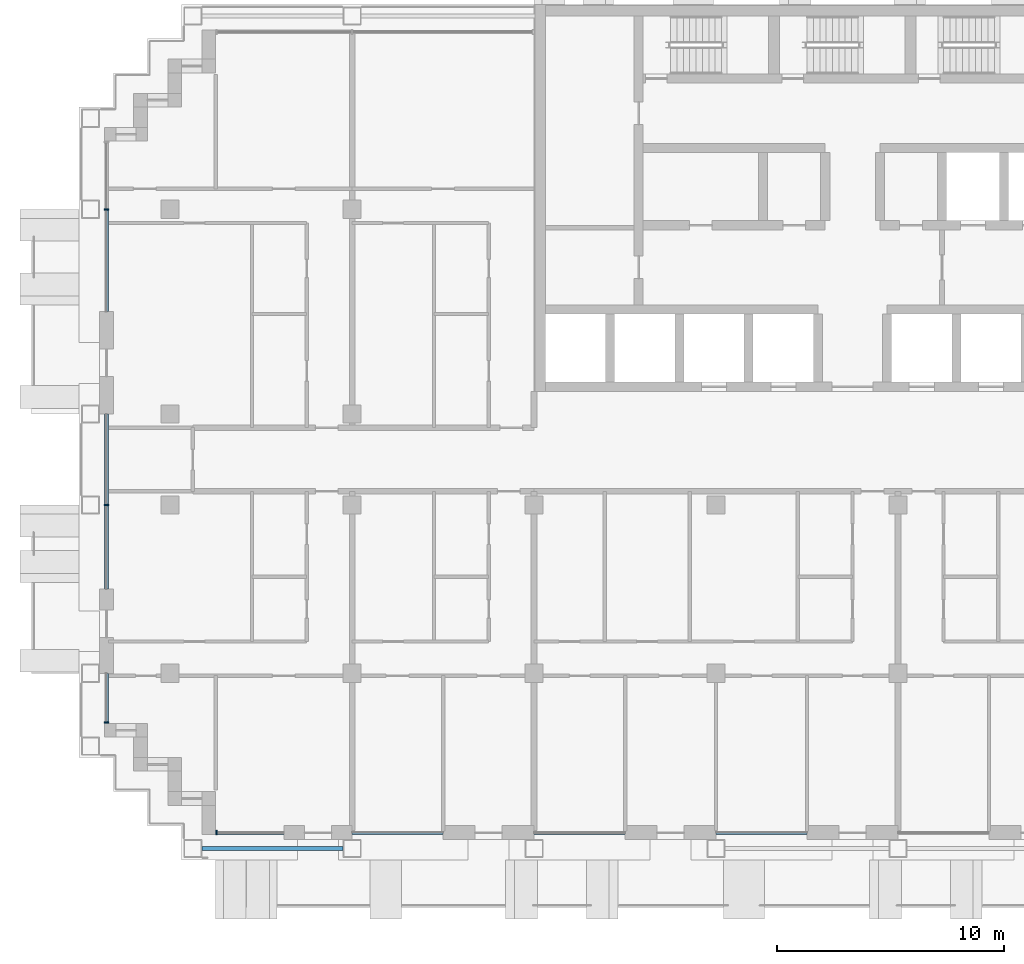
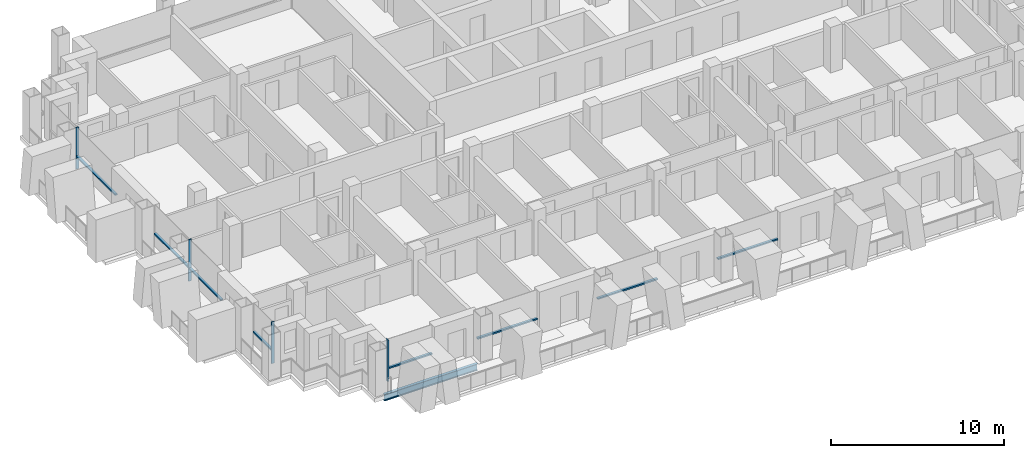
# One storey, part 2 of 17: 12 members, 1 beam, 7 elements without a shape of their own.
"""IFC4 building model written with IfcOpenShell, lengths in metres."""

from ifc_helpers import new_model, si_unit, direction, frame, origin, origin_2d, place, context, subcontext, project, spatial, rectangle, i_section, extrude, material, material_profile, profile_set, type_object, element, aggregate, save


model = new_model("IFC4")

# Units and contexts
model_context = context("Model", 3, precision=1e-05, world=origin(), true_north=direction((0.0, 1.0)))
body_context = subcontext(model_context, "Body", "Model", "MODEL_VIEW")
ifc_project = project(units=[si_unit("LENGTHUNIT", "METRE"), si_unit("AREAUNIT", "SQUARE_METRE"), si_unit("VOLUMEUNIT", "CUBIC_METRE"), si_unit("PLANEANGLEUNIT", "RADIAN"), si_unit("MASSUNIT", "GRAM", prefix="KILO")], contexts=[model_context])

# Site, building, storey
site_placement = place(None, origin())
site = spatial("IfcSite", under=ifc_project, at=site_placement, CompositionType="ELEMENT")
building_placement = place(site_placement, origin())
building = spatial("IfcBuilding", under=site, at=building_placement, Name="Vidyagriha Tower", CompositionType="ELEMENT")
storey_placement = place(building_placement, frame((0.0, 0.0, 119.800048828125)))
storey = spatial("IfcBuildingStorey", under=building, at=storey_placement, Name="L30", CompositionType="ELEMENT", Elevation=119.800048828125)

# Beam
ifc_material_1 = material(Name="Steel ASTM A992 Grade 50", Category="steel")
ifc_material_profile_1 = material_profile(ifc_material_1, i_section(OverallWidth=0.19189453125, OverallDepth=0.46240234375, WebThickness=0.010498046875, FlangeThickness=0.017578125, at=origin_2d()), Name="W18X60")
ifc_profile_set_1 = profile_set([ifc_material_profile_1], Name="Steel ASTM A992 Grade 50")
beam_type = type_object("IfcBeamType", Name="Edge beam W18X60", PredefinedType="SPANDREL", material=ifc_profile_set_1)
beam_placement = place(storey_placement, frame((-28.60009765625, -17.10009765625, -0.51123046875), z_axis=(1.0, 0.0, 0.0), x_axis=(0.0, 1.0, 0.0)))
element("IfcBeam", 1, at=beam_placement, inside=storey, type_object=beam_type, Name="st-beam-L30-S01", PredefinedType="SPANDREL", context=body_context, shape_type="SweptSolid", body=[
    extrude(i_section(OverallWidth=0.19189453125, OverallDepth=0.46240234375, WebThickness=0.010498046875, FlangeThickness=0.017578125, at=origin_2d()), origin(), (0.0, 0.0, 1.0), 6.2001953125),
])

# Curtain wall, member
ifc_material_2 = material(Name="Aluminium and glass curtain wall", Category="aluminium")
curtain_wall_type = type_object("IfcCurtainWallType", Name="Dwelling skin unitised curtain wall", PredefinedType="USERDEFINED", material=ifc_material_2)
curtain_wall_1_placement = place(storey_placement, origin())
curtain_wall_1 = element("IfcCurtainWall", 2, at=curtain_wall_1_placement, inside=storey, type_object=curtain_wall_type, Name="CW1 dwelling skin", ObjectType="UNITISED", PredefinedType="USERDEFINED")
ifc_material_3 = material(Name="Aluminium black anodised", Category="aluminium")
ifc_material_profile_2 = material_profile(ifc_material_3, rectangle(XDim=0.199951171875, YDim=0.070068359375, at=origin_2d()), Name="Mullion 70x200 black aluminium")
ifc_profile_set_2 = profile_set([ifc_material_profile_2], Name="Aluminium black anodised")
member_type_1 = type_object("IfcMemberType", Name="Mullion 70x200 black aluminium", PredefinedType="MULLION", material=ifc_profile_set_2)
member_1_placement = place(storey_placement, frame((-32.800048828125, 11.0, 0.0)))
member_1 = element("IfcMember", 3, at=member_1_placement, type_object=member_type_1, Name="CW1 mullion 2", PredefinedType="MULLION", context=body_context, shape_type="SweptSolid", body=[
    extrude(rectangle(XDim=0.199951171875, YDim=0.070068359375, at=origin_2d()), origin(), (0.0, 0.0, 1.0), 2.919921875),
])

curtain_wall_2_placement = place(storey_placement, origin())
curtain_wall_2 = element("IfcCurtainWall", 4, at=curtain_wall_2_placement, inside=storey, type_object=curtain_wall_type, Name="CW1 dwelling skin", ObjectType="UNITISED", PredefinedType="USERDEFINED")
member_2_placement = place(storey_placement, frame((-32.800048828125, -2.0, 0.0)))
member_2 = element("IfcMember", 5, at=member_2_placement, type_object=member_type_1, Name="CW1 mullion 2", PredefinedType="MULLION", context=body_context, shape_type="SweptSolid", body=[
    extrude(rectangle(XDim=0.199951171875, YDim=0.070068359375, at=origin_2d()), origin(), (0.0, 0.0, 1.0), 2.919921875),
])

curtain_wall_3_placement = place(storey_placement, origin())
curtain_wall_3 = element("IfcCurtainWall", 6, at=curtain_wall_3_placement, inside=storey, type_object=curtain_wall_type, Name="CW1 dwelling skin", ObjectType="UNITISED", PredefinedType="USERDEFINED")
member_3_placement = place(storey_placement, frame((-32.800048828125, -11.56494140625, 0.0)))
member_3 = element("IfcMember", 7, at=member_3_placement, type_object=member_type_1, Name="CW1 mullion 2", PredefinedType="MULLION", context=body_context, shape_type="SweptSolid", body=[
    extrude(rectangle(XDim=0.199951171875, YDim=0.070068359375, at=origin_2d()), origin(), (0.0, 0.0, 1.0), 2.919921875),
])

curtain_wall_4_placement = place(storey_placement, origin())
curtain_wall_4 = element("IfcCurtainWall", 8, at=curtain_wall_4_placement, inside=storey, type_object=curtain_wall_type, Name="CW1 dwelling skin", ObjectType="UNITISED", PredefinedType="USERDEFINED")
member_4_placement = place(storey_placement, frame((-27.965087890625, -16.39990234375, 0.0), z_axis=(0.0, 0.0, 1.0), x_axis=(0.0, 1.0, 0.0)))
member_4 = element("IfcMember", 9, at=member_4_placement, type_object=member_type_1, Name="CW1 mullion 1", PredefinedType="MULLION", context=body_context, shape_type="SweptSolid", body=[
    extrude(rectangle(XDim=0.199951171875, YDim=0.070068359375, at=origin_2d()), origin(), (0.0, 0.0, 1.0), 2.919921875),
])

# Member
ifc_material_4 = material(Name="Aluminium black anodised", Category="aluminium")
ifc_material_profile_3 = material_profile(ifc_material_4, rectangle(XDim=0.159912109375, YDim=0.10009765625, at=origin_2d()), Name="Transom 100x160 black aluminium")
ifc_profile_set_3 = profile_set([ifc_material_profile_3], Name="Aluminium black anodised")
member_type_2 = type_object("IfcMemberType", Name="Transom 100x160 black aluminium", PredefinedType="USERDEFINED", material=ifc_profile_set_3)
member_5_placement = place(storey_placement, frame((-32.800048828125, 10.965087890625, 0.89990234375), z_axis=(0.0, -1.0, 0.0), x_axis=(1.0, 0.0, 0.0)))
member_5 = element("IfcMember", 10, at=member_5_placement, type_object=member_type_2, Name="CW1 transom 2.1", ObjectType="TRANSOM", PredefinedType="USERDEFINED", context=body_context, shape_type="SweptSolid", body=[
    extrude(rectangle(XDim=0.159912109375, YDim=0.10009765625, at=origin_2d()), origin(), (0.0, 0.0, 1.0), 4.465087890625),
])

aggregate(curtain_wall_1, [member_1, member_5])

member_6_placement = place(storey_placement, frame((-32.800048828125, 2.0, 0.89990234375), z_axis=(0.0, -1.0, 0.0), x_axis=(1.0, 0.0, 0.0)))
member_6 = element("IfcMember", 11, at=member_6_placement, type_object=member_type_2, Name="CW1 transom 1.1", ObjectType="TRANSOM", PredefinedType="USERDEFINED", context=body_context, shape_type="SweptSolid", body=[
    extrude(rectangle(XDim=0.159912109375, YDim=0.10009765625, at=origin_2d()), origin(), (0.0, 0.0, 1.0), 3.965087890625),
])

member_7_placement = place(storey_placement, frame((-32.800048828125, -2.034912109375, 0.89990234375), z_axis=(0.0, -1.0, 0.0), x_axis=(1.0, 0.0, 0.0)))
member_7 = element("IfcMember", 12, at=member_7_placement, type_object=member_type_2, Name="CW1 transom 2.1", ObjectType="TRANSOM", PredefinedType="USERDEFINED", context=body_context, shape_type="SweptSolid", body=[
    extrude(rectangle(XDim=0.159912109375, YDim=0.10009765625, at=origin_2d()), origin(), (0.0, 0.0, 1.0), 3.6650390625),
])

aggregate(curtain_wall_2, [member_2, member_6, member_7])

member_8_placement = place(storey_placement, frame((-32.800048828125, -9.39990234375, 0.89990234375), z_axis=(0.0, -1.0, 0.0), x_axis=(1.0, 0.0, 0.0)))
member_8 = element("IfcMember", 13, at=member_8_placement, type_object=member_type_2, Name="CW1 transom 1.1", ObjectType="TRANSOM", PredefinedType="USERDEFINED", context=body_context, shape_type="SweptSolid", body=[
    extrude(rectangle(XDim=0.159912109375, YDim=0.10009765625, at=origin_2d()), origin(), (0.0, 0.0, 1.0), 2.130126953125),
])

aggregate(curtain_wall_3, [member_3, member_8])

member_9_placement = place(storey_placement, frame((-27.929931640625, -16.39990234375, 0.89990234375), z_axis=(1.0, 0.0, 0.0), x_axis=(0.0, 1.0, 0.0)))
member_9 = element("IfcMember", 14, at=member_9_placement, type_object=member_type_2, Name="CW1 transom 1.1", ObjectType="TRANSOM", PredefinedType="USERDEFINED", context=body_context, shape_type="SweptSolid", body=[
    extrude(rectangle(XDim=0.159912109375, YDim=0.10009765625, at=origin_2d()), origin(), (0.0, 0.0, 1.0), 2.929931640625),
])

aggregate(curtain_wall_4, [member_4, member_9])

# Curtain wall, member
curtain_wall_5_placement = place(storey_placement, origin())
curtain_wall_5 = element("IfcCurtainWall", 15, at=curtain_wall_5_placement, inside=storey, type_object=curtain_wall_type, Name="CW1 dwelling skin", ObjectType="UNITISED", PredefinedType="USERDEFINED")
member_10_placement = place(storey_placement, frame((-22.0, -16.39990234375, 0.89990234375), z_axis=(1.0, 0.0, 0.0), x_axis=(0.0, 1.0, 0.0)))
member_10 = element("IfcMember", 16, at=member_10_placement, type_object=member_type_2, Name="CW1 transom 1.1", ObjectType="TRANSOM", PredefinedType="USERDEFINED", context=body_context, shape_type="SweptSolid", body=[
    extrude(rectangle(XDim=0.159912109375, YDim=0.10009765625, at=origin_2d()), origin(), (0.0, 0.0, 1.0), 4.0),
])
aggregate(curtain_wall_5, [member_10])

curtain_wall_6_placement = place(storey_placement, origin())
curtain_wall_6 = element("IfcCurtainWall", 17, at=curtain_wall_6_placement, inside=storey, type_object=curtain_wall_type, Name="CW1 dwelling skin", ObjectType="UNITISED", PredefinedType="USERDEFINED")
member_11_placement = place(storey_placement, frame((-14.0, -16.39990234375, 0.89990234375), z_axis=(1.0, 0.0, 0.0), x_axis=(0.0, 1.0, 0.0)))
member_11 = element("IfcMember", 18, at=member_11_placement, type_object=member_type_2, Name="CW1 transom 1.1", ObjectType="TRANSOM", PredefinedType="USERDEFINED", context=body_context, shape_type="SweptSolid", body=[
    extrude(rectangle(XDim=0.159912109375, YDim=0.10009765625, at=origin_2d()), origin(), (0.0, 0.0, 1.0), 4.0),
])
aggregate(curtain_wall_6, [member_11])

curtain_wall_7_placement = place(storey_placement, origin())
curtain_wall_7 = element("IfcCurtainWall", 19, at=curtain_wall_7_placement, inside=storey, type_object=curtain_wall_type, Name="CW1 dwelling skin", ObjectType="UNITISED", PredefinedType="USERDEFINED")
member_12_placement = place(storey_placement, frame((-6.0, -16.39990234375, 0.89990234375), z_axis=(1.0, 0.0, 0.0), x_axis=(0.0, 1.0, 0.0)))
member_12 = element("IfcMember", 20, at=member_12_placement, type_object=member_type_2, Name="CW1 transom 1.1", ObjectType="TRANSOM", PredefinedType="USERDEFINED", context=body_context, shape_type="SweptSolid", body=[
    extrude(rectangle(XDim=0.159912109375, YDim=0.10009765625, at=origin_2d()), origin(), (0.0, 0.0, 1.0), 4.0),
])
aggregate(curtain_wall_7, [member_12])

save(model, "model.ifc")
